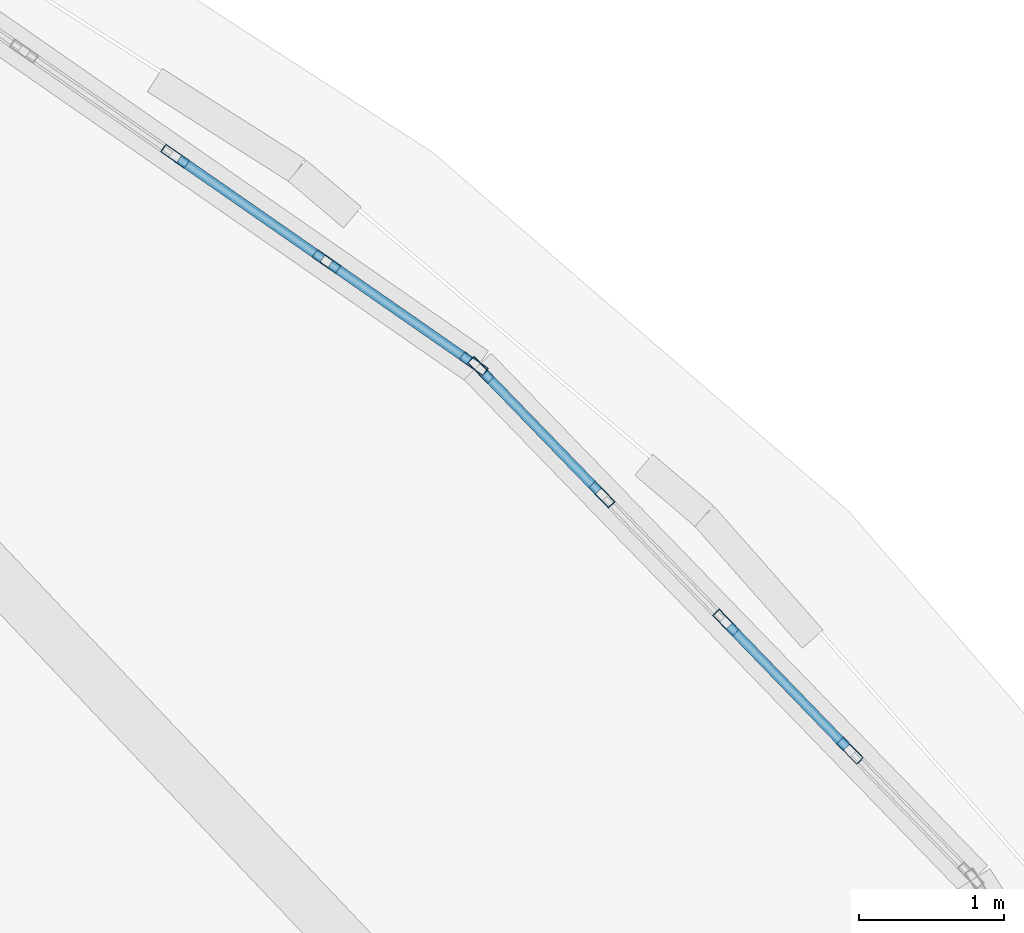
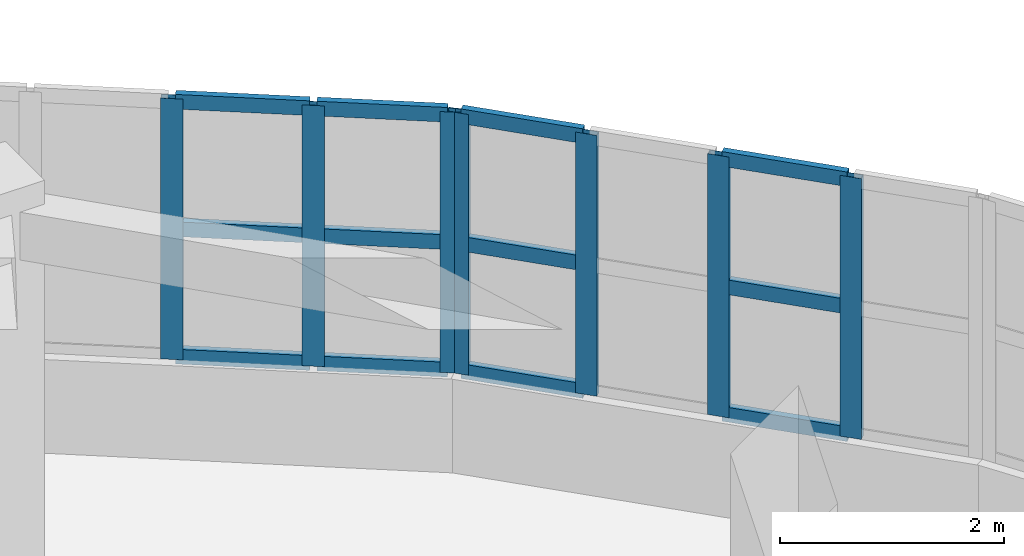
# One storey, part 54 of 98: 19 members, 2 elements without a shape of their own.
"""IFC4 building model written with IfcOpenShell, lengths in metres."""

from ifc_helpers import new_model, si_unit, direction, frame, origin, origin_2d, place, context, subcontext, project, spatial, hollow_rectangle, extrude, material, layer, layer_set, material_profile, profile_set, type_object, element, aggregate, save


model = new_model("IFC4")

# Units and contexts
model_context = context("Model", 3, precision=1e-05, world=origin(), true_north=direction((0.0, 1.0)))
body_context = subcontext(model_context, "Body", "Model", "MODEL_VIEW")
ifc_project = project(units=[si_unit("LENGTHUNIT", "METRE"), si_unit("AREAUNIT", "SQUARE_METRE"), si_unit("VOLUMEUNIT", "CUBIC_METRE"), si_unit("PLANEANGLEUNIT", "RADIAN"), si_unit("MASSUNIT", "GRAM", prefix="KILO")], contexts=[model_context])

# Site, building, storey
site_placement = place(None, origin())
site = spatial("IfcSite", under=ifc_project, at=site_placement, CompositionType="ELEMENT")
building_placement = place(site_placement, origin())
building = spatial("IfcBuilding", under=site, at=building_placement, Name="Pelvatis Terrace Science Centre", CompositionType="ELEMENT")
storey_placement = place(building_placement, frame((0.0, 0.0, 5.39990234375)))
storey = spatial("IfcBuildingStorey", under=building, at=storey_placement, Name="L01", CompositionType="ELEMENT", Elevation=5.39990234375)

# Curtain wall, members
ifc_material_1 = material(Name="Bronze-anodised aluminium and laminated glass", Category="aluminium")
ifc_layer = layer(ifc_material_1, 0.199951171875)
ifc_layer_set = layer_set([ifc_layer], Name="Bronze-anodised aluminium and laminated glass")
curtain_wall_type = type_object("IfcCurtainWallType", Name="CW-RIBBON-B", PredefinedType="NOTDEFINED", material=ifc_layer_set)
curtain_wall_1_placement = place(storey_placement, origin())
curtain_wall_1 = element("IfcCurtainWall", 1, at=curtain_wall_1_placement, inside=storey, type_object=curtain_wall_type, Name="Ribbon curtain wall CW-128 (L01)", PredefinedType="NOTDEFINED")
ifc_material_2 = material(Name="Bronze-anodised aluminium 6063-T6", Category="aluminium")
ifc_material_profile_1 = material_profile(ifc_material_2, hollow_rectangle(XDim=0.06494140625, YDim=0.199951171875, WallThickness=0.00439453125, at=origin_2d()), Name="ALU-MUL 65x200")
ifc_profile_set_1 = profile_set([ifc_material_profile_1], Name="Bronze-anodised aluminium 6063-T6")
member_type_1 = type_object("IfcMemberType", Name="CWM-65x200", PredefinedType="MULLION", material=ifc_profile_set_1)
member_1_placement = place(storey_placement, frame((133.0703125, 96.597900390625, 1.02001953125), z_axis=(0.0, 0.0, 1.0), x_axis=(-0.718179097979, -0.69585830686, 0.0)))
member_1 = element("IfcMember", 2, at=member_1_placement, type_object=member_type_1, Name="CW-128 mullion 2", PredefinedType="MULLION", context=body_context, shape_type="SweptSolid", body=[
    extrude(hollow_rectangle(XDim=0.06494140625, YDim=0.199951171875, WallThickness=0.00439453125, at=origin_2d()), origin(), (0.0, 0.0, 1.0), 2.840087890625),
])
member_2_placement = place(storey_placement, frame((132.217041015625, 97.478515625, 1.02001953125), z_axis=(0.0, 0.0, 1.0), x_axis=(-0.718179097979, -0.69585830686, 0.0)))
member_2 = element("IfcMember", 3, at=member_2_placement, type_object=member_type_1, Name="CW-128 mullion 3", PredefinedType="MULLION", context=body_context, shape_type="SweptSolid", body=[
    extrude(hollow_rectangle(XDim=0.06494140625, YDim=0.199951171875, WallThickness=0.00439453125, at=origin_2d()), origin(), (0.0, 0.0, 1.0), 2.840087890625),
])
member_3_placement = place(storey_placement, frame((131.363525390625, 98.359375, 1.02001953125), z_axis=(0.0, 0.0, 1.0), x_axis=(-0.718179097979, -0.69585830686, 0.0)))
member_3 = element("IfcMember", 4, at=member_3_placement, type_object=member_type_1, Name="CW-128 mullion 4", PredefinedType="MULLION", context=body_context, shape_type="SweptSolid", body=[
    extrude(hollow_rectangle(XDim=0.06494140625, YDim=0.199951171875, WallThickness=0.00439453125, at=origin_2d()), origin(), (0.0, 0.0, 1.0), 2.840087890625),
])
member_4_placement = place(storey_placement, frame((130.53271484375, 99.216796875, 1.02001953125), z_axis=(0.0, 0.0, 1.0), x_axis=(-0.718179097979, -0.69585830686, 0.0)))
member_4 = element("IfcMember", 5, at=member_4_placement, type_object=member_type_1, Name="CW-128 mullion 5", PredefinedType="MULLION", context=body_context, shape_type="SweptSolid", body=[
    extrude(hollow_rectangle(XDim=0.06494140625, YDim=0.199951171875, WallThickness=0.00439453125, at=origin_2d()), origin(), (0.0, 0.0, 1.0), 2.840087890625),
])

curtain_wall_2_placement = place(storey_placement, origin())
curtain_wall_2 = element("IfcCurtainWall", 6, at=curtain_wall_2_placement, inside=storey, type_object=curtain_wall_type, Name="Ribbon curtain wall CW-129 (L01)", PredefinedType="NOTDEFINED")
member_5_placement = place(storey_placement, frame((130.4833984375, 99.2587890625, 1.02001953125), z_axis=(0.0, 0.0, 1.0), x_axis=(-0.570771224055, -0.82110913391, 0.0)))
member_5 = element("IfcMember", 7, at=member_5_placement, type_object=member_type_1, Name="CW-129 mullion 1", PredefinedType="MULLION", context=body_context, shape_type="SweptSolid", body=[
    extrude(hollow_rectangle(XDim=0.06494140625, YDim=0.199951171875, WallThickness=0.00439453125, at=origin_2d()), origin(), (0.0, 0.0, 1.0), 2.840087890625),
])
member_6_placement = place(storey_placement, frame((129.47021484375, 99.963134765625, 1.02001953125), z_axis=(0.0, 0.0, 1.0), x_axis=(-0.570771224055, -0.82110913391, 0.0)))
member_6 = element("IfcMember", 8, at=member_6_placement, type_object=member_type_1, Name="CW-129 mullion 2", PredefinedType="MULLION", context=body_context, shape_type="SweptSolid", body=[
    extrude(hollow_rectangle(XDim=0.06494140625, YDim=0.199951171875, WallThickness=0.00439453125, at=origin_2d()), origin(), (0.0, 0.0, 1.0), 2.840087890625),
])
member_7_placement = place(storey_placement, frame((128.43017578125, 100.68603515625, 1.02001953125), z_axis=(0.0, 0.0, 1.0), x_axis=(-0.570771224055, -0.82110913391, 0.0)))
member_7 = element("IfcMember", 9, at=member_7_placement, type_object=member_type_1, Name="CW-129 mullion 3", PredefinedType="MULLION", context=body_context, shape_type="SweptSolid", body=[
    extrude(hollow_rectangle(XDim=0.06494140625, YDim=0.199951171875, WallThickness=0.00439453125, at=origin_2d()), origin(), (0.0, 0.0, 1.0), 2.840087890625),
])

# Member
ifc_material_3 = material(Name="Bronze-anodised aluminium 6063-T6", Category="aluminium")
ifc_material_profile_2 = material_profile(ifc_material_3, hollow_rectangle(XDim=0.06494140625, YDim=0.159912109375, WallThickness=0.00390625, at=origin_2d()), Name="ALU-TRN 65x160")
ifc_profile_set_2 = profile_set([ifc_material_profile_2], Name="Bronze-anodised aluminium 6063-T6")
member_type_2 = type_object("IfcMemberType", Name="CWT-65x160", PredefinedType="USERDEFINED", material=ifc_profile_set_2)
member_8_placement = place(storey_placement, frame((133.0478515625, 96.62109375, 1.052490234375), z_axis=(-0.695879915121, 0.718158160666, 0.0), x_axis=(-0.718158160666, -0.695879915121, 0.0)))
member_8 = element("IfcMember", 10, at=member_8_placement, type_object=member_type_2, Name="CW-128 transom 2.1", ObjectType="TRANSOM", PredefinedType="USERDEFINED", context=body_context, shape_type="SweptSolid", body=[
    extrude(hollow_rectangle(XDim=0.06494140625, YDim=0.159912109375, WallThickness=0.00390625, at=origin_2d()), origin(), (0.0, 0.0, 1.0), 1.16162109375),
])

member_9_placement = place(storey_placement, frame((133.0478515625, 96.62109375, 2.440185546875), z_axis=(-0.695879915121, 0.718158160666, 0.0), x_axis=(-0.718158160666, -0.695879915121, 0.0)))
member_9 = element("IfcMember", 11, at=member_9_placement, type_object=member_type_2, Name="CW-128 transom 2.2", ObjectType="TRANSOM", PredefinedType="USERDEFINED", context=body_context, shape_type="SweptSolid", body=[
    extrude(hollow_rectangle(XDim=0.06494140625, YDim=0.159912109375, WallThickness=0.00390625, at=origin_2d()), origin(), (0.0, 0.0, 1.0), 1.16162109375),
])

member_10_placement = place(storey_placement, frame((133.0478515625, 96.62109375, 3.82763671875), z_axis=(-0.695879915121, 0.718158160666, 0.0), x_axis=(-0.718158160666, -0.695879915121, 0.0)))
member_10 = element("IfcMember", 12, at=member_10_placement, type_object=member_type_2, Name="CW-128 transom 2.3", ObjectType="TRANSOM", PredefinedType="USERDEFINED", context=body_context, shape_type="SweptSolid", body=[
    extrude(hollow_rectangle(XDim=0.06494140625, YDim=0.159912109375, WallThickness=0.00390625, at=origin_2d()), origin(), (0.0, 0.0, 1.0), 1.16162109375),
])

member_11_placement = place(storey_placement, frame((131.3408203125, 98.3828125, 1.052490234375), z_axis=(-0.695770809086, 0.718263866016, 0.0), x_axis=(-0.718263866016, -0.695770809086, 0.0)))
member_11 = element("IfcMember", 13, at=member_11_placement, type_object=member_type_2, Name="CW-128 transom 4.1", ObjectType="TRANSOM", PredefinedType="USERDEFINED", context=body_context, shape_type="SweptSolid", body=[
    extrude(hollow_rectangle(XDim=0.06494140625, YDim=0.159912109375, WallThickness=0.00390625, at=origin_2d()), origin(), (0.0, 0.0, 1.0), 1.12890625),
])

member_12_placement = place(storey_placement, frame((131.3408203125, 98.3828125, 2.440185546875), z_axis=(-0.695770809086, 0.718263866016, 0.0), x_axis=(-0.718263866016, -0.695770809086, 0.0)))
member_12 = element("IfcMember", 14, at=member_12_placement, type_object=member_type_2, Name="CW-128 transom 4.2", ObjectType="TRANSOM", PredefinedType="USERDEFINED", context=body_context, shape_type="SweptSolid", body=[
    extrude(hollow_rectangle(XDim=0.06494140625, YDim=0.159912109375, WallThickness=0.00390625, at=origin_2d()), origin(), (0.0, 0.0, 1.0), 1.12890625),
])

member_13_placement = place(storey_placement, frame((131.3408203125, 98.3828125, 3.82763671875), z_axis=(-0.695770809086, 0.718263866016, 0.0), x_axis=(-0.718263866016, -0.695770809086, 0.0)))
member_13 = element("IfcMember", 15, at=member_13_placement, type_object=member_type_2, Name="CW-128 transom 4.3", ObjectType="TRANSOM", PredefinedType="USERDEFINED", context=body_context, shape_type="SweptSolid", body=[
    extrude(hollow_rectangle(XDim=0.06494140625, YDim=0.159912109375, WallThickness=0.00390625, at=origin_2d()), origin(), (0.0, 0.0, 1.0), 1.12890625),
])

aggregate(curtain_wall_1, [member_1, member_2, member_3, member_4, member_8, member_9, member_10, member_11, member_12, member_13])

member_14_placement = place(storey_placement, frame((130.456787109375, 99.27734375, 1.052490234375), z_axis=(-0.821130730406, 0.570740154171, 0.0), x_axis=(-0.570740154171, -0.821130730406, 0.0)))
member_14 = element("IfcMember", 16, at=member_14_placement, type_object=member_type_2, Name="CW-129 transom 1.1", ObjectType="TRANSOM", PredefinedType="USERDEFINED", context=body_context, shape_type="SweptSolid", body=[
    extrude(hollow_rectangle(XDim=0.06494140625, YDim=0.159912109375, WallThickness=0.00390625, at=origin_2d()), origin(), (0.0, 0.0, 1.0), 1.169189453125),
])

member_15_placement = place(storey_placement, frame((130.456787109375, 99.27734375, 2.440185546875), z_axis=(-0.821130730406, 0.570740154171, 0.0), x_axis=(-0.570740154171, -0.821130730406, 0.0)))
member_15 = element("IfcMember", 17, at=member_15_placement, type_object=member_type_2, Name="CW-129 transom 1.2", ObjectType="TRANSOM", PredefinedType="USERDEFINED", context=body_context, shape_type="SweptSolid", body=[
    extrude(hollow_rectangle(XDim=0.06494140625, YDim=0.159912109375, WallThickness=0.00390625, at=origin_2d()), origin(), (0.0, 0.0, 1.0), 1.169189453125),
])

member_16_placement = place(storey_placement, frame((130.456787109375, 99.27734375, 3.82763671875), z_axis=(-0.821130730406, 0.570740154171, 0.0), x_axis=(-0.570740154171, -0.821130730406, 0.0)))
member_16 = element("IfcMember", 18, at=member_16_placement, type_object=member_type_2, Name="CW-129 transom 1.3", ObjectType="TRANSOM", PredefinedType="USERDEFINED", context=body_context, shape_type="SweptSolid", body=[
    extrude(hollow_rectangle(XDim=0.06494140625, YDim=0.159912109375, WallThickness=0.00390625, at=origin_2d()), origin(), (0.0, 0.0, 1.0), 1.169189453125),
])

member_17_placement = place(storey_placement, frame((129.443603515625, 99.981689453125, 1.052490234375), z_axis=(-0.821108085386, 0.570772732455, 0.0), x_axis=(-0.570772732455, -0.821108085386, 0.0)))
member_17 = element("IfcMember", 19, at=member_17_placement, type_object=member_type_2, Name="CW-129 transom 2.1", ObjectType="TRANSOM", PredefinedType="USERDEFINED", context=body_context, shape_type="SweptSolid", body=[
    extrude(hollow_rectangle(XDim=0.06494140625, YDim=0.159912109375, WallThickness=0.00390625, at=origin_2d()), origin(), (0.0, 0.0, 1.0), 1.201416015625),
])

member_18_placement = place(storey_placement, frame((129.443603515625, 99.981689453125, 2.440185546875), z_axis=(-0.821108085386, 0.570772732455, 0.0), x_axis=(-0.570772732455, -0.821108085386, 0.0)))
member_18 = element("IfcMember", 20, at=member_18_placement, type_object=member_type_2, Name="CW-129 transom 2.2", ObjectType="TRANSOM", PredefinedType="USERDEFINED", context=body_context, shape_type="SweptSolid", body=[
    extrude(hollow_rectangle(XDim=0.06494140625, YDim=0.159912109375, WallThickness=0.00390625, at=origin_2d()), origin(), (0.0, 0.0, 1.0), 1.201416015625),
])

member_19_placement = place(storey_placement, frame((129.443603515625, 99.981689453125, 3.82763671875), z_axis=(-0.821108085386, 0.570772732455, 0.0), x_axis=(-0.570772732455, -0.821108085386, 0.0)))
member_19 = element("IfcMember", 21, at=member_19_placement, type_object=member_type_2, Name="CW-129 transom 2.3", ObjectType="TRANSOM", PredefinedType="USERDEFINED", context=body_context, shape_type="SweptSolid", body=[
    extrude(hollow_rectangle(XDim=0.06494140625, YDim=0.159912109375, WallThickness=0.00390625, at=origin_2d()), origin(), (0.0, 0.0, 1.0), 1.201416015625),
])

aggregate(curtain_wall_2, [member_5, member_6, member_7, member_14, member_15, member_16, member_17, member_18, member_19])

save(model, "model.ifc")
